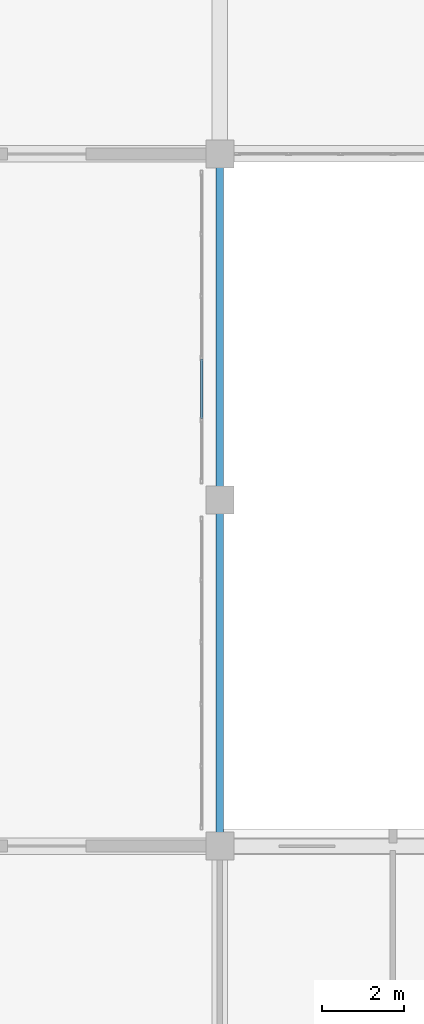
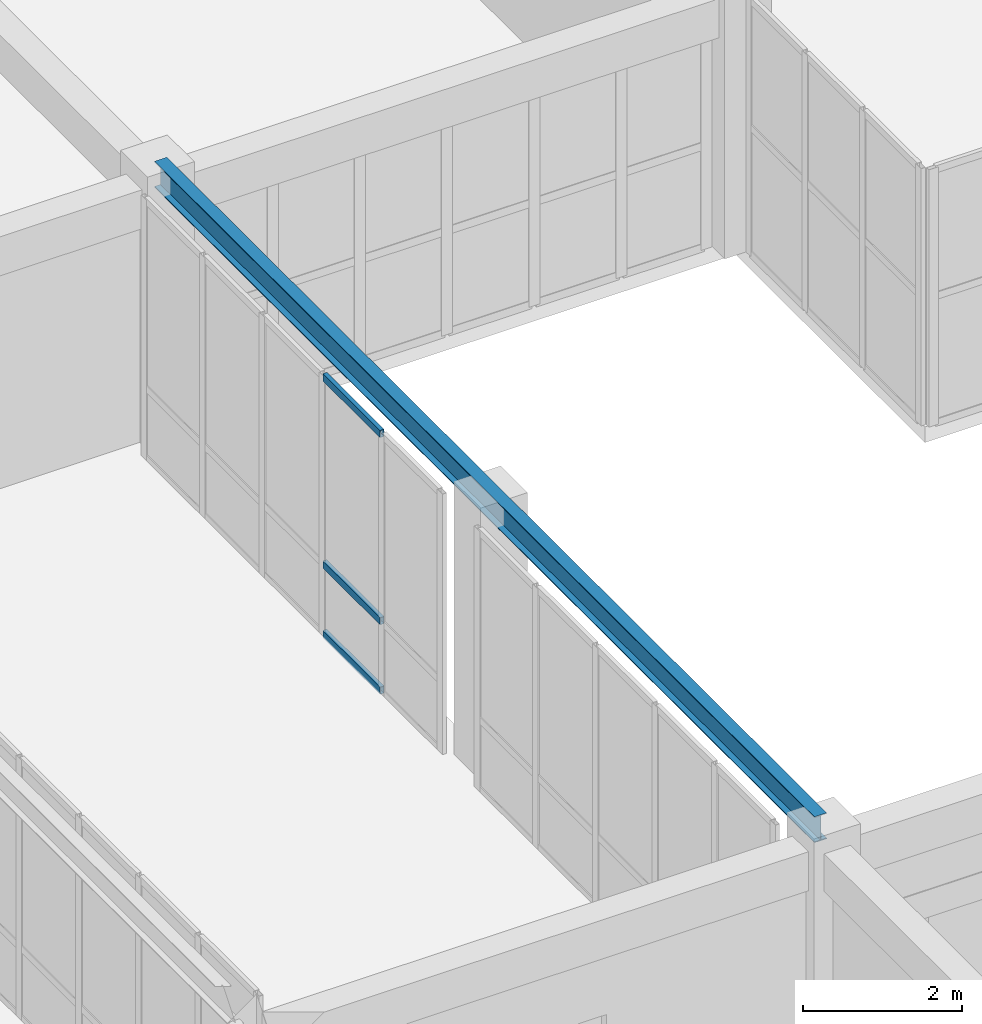
# One storey, part 37 of 140: 3 members, 1 beam, 1 element without a shape of its own.
"""IFC4 building model written with IfcOpenShell, lengths in metres."""

from ifc_helpers import new_model, si_unit, direction, frame, origin, origin_2d, place, context, subcontext, project, spatial, hollow_rectangle, i_section, extrude, material, layer, layer_set, material_profile, profile_set, type_object, element, aggregate, save


model = new_model("IFC4")

# Units and contexts
model_context = context("Model", 3, precision=1e-05, world=origin(), true_north=direction((0.0, 1.0)))
body_context = subcontext(model_context, "Body", "Model", "MODEL_VIEW")
ifc_project = project(units=[si_unit("LENGTHUNIT", "METRE"), si_unit("AREAUNIT", "SQUARE_METRE"), si_unit("VOLUMEUNIT", "CUBIC_METRE"), si_unit("PLANEANGLEUNIT", "RADIAN"), si_unit("MASSUNIT", "GRAM", prefix="KILO")], contexts=[model_context])

# Site, building, storey
site_placement = place(None, origin())
site = spatial("IfcSite", under=ifc_project, at=site_placement, CompositionType="ELEMENT")
building_placement = place(site_placement, origin())
building = spatial("IfcBuilding", under=site, at=building_placement, Name="Trelvath General Hospital", CompositionType="ELEMENT")
storey_placement = place(building_placement, frame((0.0, 0.0, 16.199951171875)))
storey = spatial("IfcBuildingStorey", under=building, at=storey_placement, Name="L04", CompositionType="ELEMENT", Elevation=16.199951171875)

# Beam
ifc_material_1 = material(Name="Steel S355", Category="steel")
ifc_material_profile_1 = material_profile(ifc_material_1, i_section(OverallWidth=0.179931640625, OverallDepth=0.39990234375, WebThickness=0.008544921875, FlangeThickness=0.013427734375, at=origin_2d()), Name="IPE400")
ifc_profile_set_1 = profile_set([ifc_material_profile_1], Name="Steel S355")
beam_type = type_object("IfcBeamType", Name="BridgeGirder IPE400", PredefinedType="BEAM", material=ifc_profile_set_1)
beam_placement = place(storey_placement, frame((84.0, 25.280029296875, 4.0), z_axis=(0.0, 1.0, 0.0), x_axis=(-1.0, 0.0, 0.0)))
element("IfcBeam", 1, at=beam_placement, inside=storey, type_object=beam_type, Name="Bridge Roof Girder BRG-S-C E", PredefinedType="BEAM", context=body_context, shape_type="SweptSolid", body=[
    extrude(i_section(OverallWidth=0.179931640625, OverallDepth=0.39990234375, WebThickness=0.008544921875, FlangeThickness=0.013427734375, at=origin_2d()), origin(), (0.0, 0.0, 1.0), 16.639892578125),
])

# Curtain wall, members
ifc_material_2 = material(Name="Anodised aluminium and low-E glass", Category="aluminium")
ifc_layer = layer(ifc_material_2, 0.139892578125)
ifc_layer_set = layer_set([ifc_layer], Name="Anodised aluminium and low-E glass")
curtain_wall_type = type_object("IfcCurtainWallType", Name="CW Bridge 752 401", PredefinedType="USERDEFINED", material=ifc_layer_set)
curtain_wall_placement = place(storey_placement, origin())
curtain_wall = element("IfcCurtainWall", 2, at=curtain_wall_placement, inside=storey, type_object=curtain_wall_type, Name="Glazed Bridge Curtain Wall BRG-S-C E L04", ObjectType="Unitised Glazed Curtain Wall", PredefinedType="USERDEFINED")
ifc_material_3 = material(Name="Anodised aluminium", Category="aluminium")
ifc_material_profile_2 = material_profile(ifc_material_3, hollow_rectangle(XDim=0.06005859375, YDim=0.110107421875, WallThickness=0.00390625, at=origin_2d()), Name="RHS60x110x4")
ifc_profile_set_2 = profile_set([ifc_material_profile_2], Name="Anodised aluminium")
member_type = type_object("IfcMemberType", Name="CurtainTransom 60x110", PredefinedType="USERDEFINED", material=ifc_profile_set_2)
member_1_placement = place(storey_placement, frame((83.56005859375, 37.01806640625, 0.030029296875), z_axis=(0.0, -1.0, 0.0), x_axis=(1.0, 0.0, 0.0)))
member_1 = element("IfcMember", 3, at=member_1_placement, type_object=member_type, Name="CW-305 transom 4.1", ObjectType="TRANSOM", PredefinedType="USERDEFINED", context=body_context, shape_type="SweptSolid", body=[
    extrude(hollow_rectangle(XDim=0.06005859375, YDim=0.110107421875, WallThickness=0.00390625, at=origin_2d()), origin(), (0.0, 0.0, 1.0), 1.444091796875),
])
member_2_placement = place(storey_placement, frame((83.56005859375, 37.01806640625, 1.10009765625), z_axis=(0.0, -1.0, 0.0), x_axis=(1.0, 0.0, 0.0)))
member_2 = element("IfcMember", 4, at=member_2_placement, type_object=member_type, Name="CW-305 transom 4.2", ObjectType="TRANSOM", PredefinedType="USERDEFINED", context=body_context, shape_type="SweptSolid", body=[
    extrude(hollow_rectangle(XDim=0.06005859375, YDim=0.110107421875, WallThickness=0.00390625, at=origin_2d()), origin(), (0.0, 0.0, 1.0), 1.444091796875),
])
member_3_placement = place(storey_placement, frame((83.56005859375, 37.01806640625, 3.97998046875), z_axis=(0.0, -1.0, 0.0), x_axis=(1.0, 0.0, 0.0)))
member_3 = element("IfcMember", 5, at=member_3_placement, type_object=member_type, Name="CW-305 transom 4.3", ObjectType="TRANSOM", PredefinedType="USERDEFINED", context=body_context, shape_type="SweptSolid", body=[
    extrude(hollow_rectangle(XDim=0.06005859375, YDim=0.110107421875, WallThickness=0.00390625, at=origin_2d()), origin(), (0.0, 0.0, 1.0), 1.444091796875),
])
aggregate(curtain_wall, [member_1, member_2, member_3])

save(model, "model.ifc")
